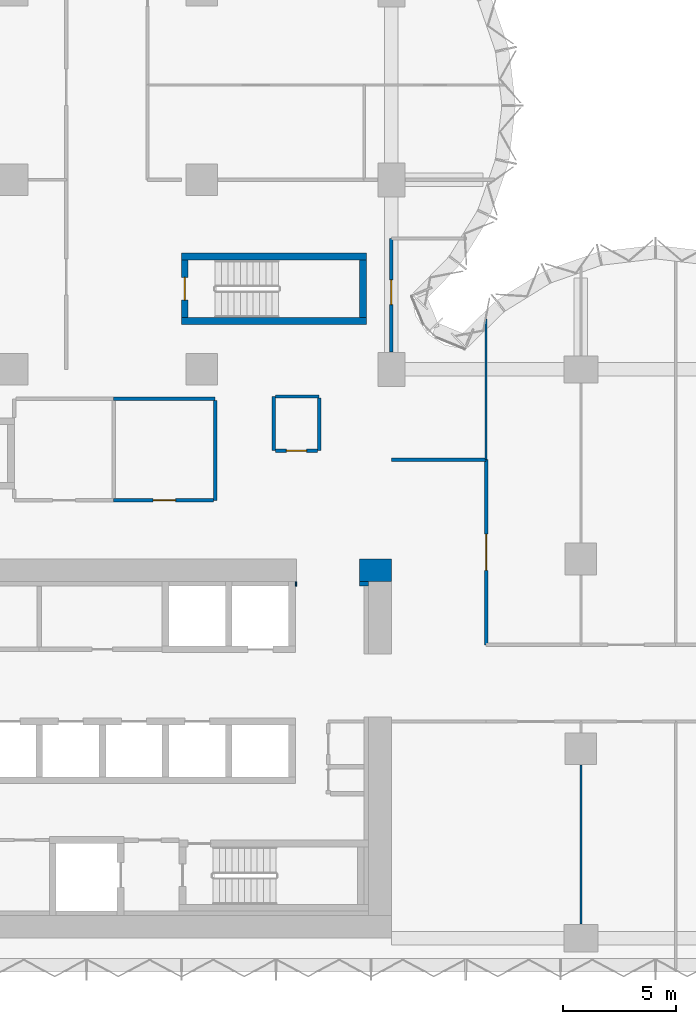
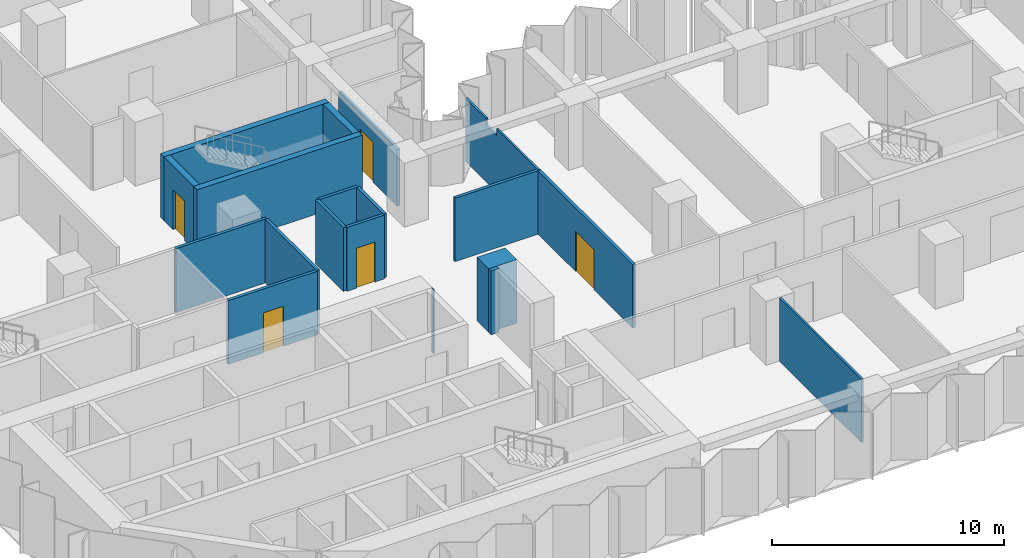
# One storey, part 9 of 15: 19 walls, 5 doors, 5 openings.
"""IFC4 building model written with IfcOpenShell, lengths in metres."""

from ifc_helpers import new_model, si_unit, direction, frame, frame_2d, origin, place, context, subcontext, project, spatial, polyline, rectangle, outline, extrude, material, layer, layer_set, type_object, element, fill, save


model = new_model("IFC4")

# Units and contexts
model_context = context("Model", 3, precision=1e-05, world=origin(), true_north=direction((0.0, 1.0)))
body_context = subcontext(model_context, "Body", "Model", "MODEL_VIEW")
ifc_project = project(units=[si_unit("LENGTHUNIT", "METRE"), si_unit("AREAUNIT", "SQUARE_METRE"), si_unit("VOLUMEUNIT", "CUBIC_METRE"), si_unit("PLANEANGLEUNIT", "RADIAN"), si_unit("MASSUNIT", "GRAM", prefix="KILO")], contexts=[model_context])

# Site, building, storey
site_placement = place(None, origin())
site = spatial("IfcSite", under=ifc_project, at=site_placement, CompositionType="ELEMENT")
building_placement = place(site_placement, origin())
building = spatial("IfcBuilding", under=site, at=building_placement, Name="Brevane Broadcast Tower", CompositionType="ELEMENT")
storey_placement = place(building_placement, frame((0.0, 0.0, 72.5)))
storey = spatial("IfcBuildingStorey", under=building, at=storey_placement, Name="L16", CompositionType="ELEMENT", Elevation=72.5)

# Walls
ifc_material_1 = material(Name="Concrete C32/40", Category="concrete")
ifc_layer_1 = layer(ifc_material_1, 0.199951171875)
ifc_layer_set_1 = layer_set([ifc_layer_1], Name="Core chase wall 200 mm")
wall_type_1 = type_object("IfcWallType", Name="Core chase wall 200 mm", PredefinedType="PARTITIONING", material=ifc_layer_set_1)
wall_1_placement = place(storey_placement, frame((23.800048828125, 15.699951171875, 0.0), z_axis=(0.0, 0.0, 1.0), x_axis=(1.0, 0.0, 0.0)))
element("IfcWall", 1, at=wall_1_placement, inside=storey, type_object=wall_type_1, Name="L16 chase wall LN2", PredefinedType="PARTITIONING", context=body_context, shape_type="SweptSolid", body=[
    extrude(rectangle(XDim=0.39990234375, YDim=0.199951171875, at=frame_2d((0.199951171875, 0.0))), origin(), (0.0, 0.0, 1.0), 3.35009765625),
])
wall_2_placement = place(storey_placement, frame((20.949951171875, 15.699951171875, 0.0), z_axis=(0.0, 0.0, 1.0), x_axis=(1.0, 0.0, 0.0)))
element("IfcWall", 2, at=wall_2_placement, inside=storey, type_object=wall_type_1, Name="L16 chase wall LN1-2-2-2-2", PredefinedType="PARTITIONING", context=body_context, shape_type="SweptSolid", body=[
    extrude(rectangle(XDim=0.050048828125, YDim=0.199951171875, at=frame_2d((0.02490234375, 0.0))), origin(), (0.0, 0.0, 1.0), 3.35009765625),
])
ifc_material_2 = material(Name="Gypsum board on steel studs", Category="steel")
ifc_layer_2 = layer(ifc_material_2, 0.14990234375)
ifc_layer_set_2 = layer_set([ifc_layer_2], Name="Core fire partition 150 mm")
wall_type_2 = type_object("IfcWallType", Name="Core fire partition 150 mm", PredefinedType="PARTITIONING", material=ifc_layer_set_2)
wall_3_placement = place(storey_placement, frame((12.89990234375, 23.89990234375, 0.0), z_axis=(0.0, 0.0, 1.0), x_axis=(1.0, 0.0, 0.0)))
element("IfcWall", 3, at=wall_3_placement, inside=storey, type_object=wall_type_2, Name="L16 partition wall P19", PredefinedType="PARTITIONING", context=body_context, shape_type="SweptSolid", body=[
    extrude(rectangle(XDim=4.5, YDim=0.14990234375, at=frame_2d((2.25, 0.0))), origin(), (0.0, 0.0, 1.0), 3.35009765625),
])
wall_4_placement = place(storey_placement, frame((17.39990234375, 23.824951171875, 0.0), z_axis=(0.0, 0.0, 1.0), x_axis=(0.0, -1.0, 0.0)))
element("IfcWall", 4, at=wall_4_placement, inside=storey, type_object=wall_type_2, Name="L16 partition wall P20", PredefinedType="PARTITIONING", context=body_context, shape_type="SweptSolid", body=[
    extrude(rectangle(XDim=4.425048828125, YDim=0.14990234375, at=frame_2d((2.21240234375, 0.0))), origin(), (0.0, 0.0, 1.0), 3.35009765625),
])

# Wall, opening, door
wall_5_placement = place(storey_placement, frame((17.324951171875, 19.39990234375, 0.0), z_axis=(0.0, 0.0, 1.0), x_axis=(-1.0, 0.0, 0.0)))
wall_5 = element("IfcWall", 5, at=wall_5_placement, inside=storey, type_object=wall_type_2, Name="L16 partition wall P21", PredefinedType="PARTITIONING", context=body_context, shape_type="SweptSolid", body=[
    extrude(rectangle(XDim=4.425048828125, YDim=0.14990234375, at=frame_2d((2.21240234375, 0.0))), origin(), (0.0, 0.0, 1.0), 3.35009765625),
])
opening_1_placement = place(wall_5_placement, frame((1.675048828125, 0.0, 0.0)))
opening_1 = element("IfcOpeningElement", 6, at=opening_1_placement, cuts=wall_5, Name="Opening L16-K26", PredefinedType="OPENING", context=body_context, shape_type="SweptSolid", body=[
    extrude(rectangle(XDim=1.0, YDim=2.10009765625, at=frame_2d((0.5, 1.050048828125))), frame((0.0, 0.0849609375, 0.0), z_axis=(0.0, -1.0, 0.0), x_axis=(1.0, 0.0, 0.0)), (0.0, 0.0, 1.0), 0.169921875),
])
ifc_material_3 = material(Name="Steel", Category="steel")
door_type_1 = type_object("IfcDoorType", Name="Service room door 1000 x 2100", OperationType="SINGLE_SWING_LEFT", PredefinedType="DOOR", material=ifc_material_3)
door_1_placement = place(opening_1_placement, origin())
door_1 = element("IfcDoor", 7, at=door_1_placement, inside=storey, type_object=door_type_1, Name="Door L16-K26", OperationType="SINGLE_SWING_LEFT", OverallHeight=2.10009765625, OverallWidth=1.0, PredefinedType="DOOR", context=body_context, shape_type="SweptSolid", body=[
    extrude(rectangle(XDim=1.0, YDim=2.10009765625, at=frame_2d((0.5, 1.050048828125))), frame((0.0, 0.02490234375, 0.0), z_axis=(0.0, -1.0, 0.0), x_axis=(1.0, 0.0, 0.0)), (0.0, 0.0, 1.0), 0.050048828125),
])
fill(opening_1, door_1)

# Walls
wall_6_placement = place(storey_placement, frame((20.0, 21.60009765625, 0.0), z_axis=(0.0, 0.0, 1.0), x_axis=(0.0, 1.0, 0.0)))
element("IfcWall", 8, at=wall_6_placement, inside=storey, type_object=wall_type_2, Name="L16 partition wall P25", PredefinedType="PARTITIONING", context=body_context, shape_type="SweptSolid", body=[
    extrude(rectangle(XDim=2.39990234375, YDim=0.14990234375, at=frame_2d((1.199951171875, 0.0))), origin(), (0.0, 0.0, 1.0), 3.35009765625),
])
wall_7_placement = place(storey_placement, frame((20.074951171875, 24.0, 0.0), z_axis=(0.0, 0.0, 1.0), x_axis=(1.0, 0.0, 0.0)))
element("IfcWall", 9, at=wall_7_placement, inside=storey, type_object=wall_type_2, Name="L16 partition wall P26", PredefinedType="PARTITIONING", context=body_context, shape_type="SweptSolid", body=[
    extrude(rectangle(XDim=1.925048828125, YDim=0.14990234375, at=frame_2d((0.96240234375, 0.0))), origin(), (0.0, 0.0, 1.0), 3.35009765625),
])
wall_8_placement = place(storey_placement, frame((22.0, 23.925048828125, 0.0), z_axis=(0.0, 0.0, 1.0), x_axis=(0.0, -1.0, 0.0)))
element("IfcWall", 10, at=wall_8_placement, inside=storey, type_object=wall_type_2, Name="L16 partition wall P27", PredefinedType="PARTITIONING", context=body_context, shape_type="SweptSolid", body=[
    extrude(rectangle(XDim=2.324951171875, YDim=0.14990234375, at=frame_2d((1.16259765625, 0.0))), origin(), (0.0, 0.0, 1.0), 3.35009765625),
])

# Wall, opening, door
wall_9_placement = place(storey_placement, frame((21.925048828125, 21.60009765625, 0.0), z_axis=(0.0, 0.0, 1.0), x_axis=(-1.0, 0.0, 0.0)))
wall_9 = element("IfcWall", 11, at=wall_9_placement, inside=storey, type_object=wall_type_2, Name="L16 partition wall P28", PredefinedType="PARTITIONING", context=body_context, shape_type="SweptSolid", body=[
    extrude(rectangle(XDim=1.85009765625, YDim=0.14990234375, at=frame_2d((0.925048828125, 0.0))), origin(), (0.0, 0.0, 1.0), 3.35009765625),
])
opening_2_placement = place(wall_9_placement, frame((0.47509765625, 0.0, 0.0)))
opening_2 = element("IfcOpeningElement", 12, at=opening_2_placement, cuts=wall_9, Name="Opening L16-K24", PredefinedType="OPENING", context=body_context, shape_type="SweptSolid", body=[
    extrude(rectangle(XDim=0.89990234375, YDim=2.10009765625, at=frame_2d((0.449951171875, 1.050048828125))), frame((0.0, 0.0849609375, 0.0), z_axis=(0.0, -1.0, 0.0), x_axis=(1.0, 0.0, 0.0)), (0.0, 0.0, 1.0), 0.169921875),
])
ifc_material_4 = material(Name="Timber", Category="wood")
door_type_2 = type_object("IfcDoorType", Name="Toilet door 900 x 2100", OperationType="SINGLE_SWING_LEFT", PredefinedType="DOOR", material=ifc_material_4)
door_2_placement = place(opening_2_placement, origin())
door_2 = element("IfcDoor", 13, at=door_2_placement, inside=storey, type_object=door_type_2, Name="Door L16-K24", OperationType="SINGLE_SWING_LEFT", OverallHeight=2.10009765625, OverallWidth=0.89990234375, PredefinedType="DOOR", context=body_context, shape_type="SweptSolid", body=[
    extrude(rectangle(XDim=0.89990234375, YDim=2.10009765625, at=frame_2d((0.449951171875, 1.050048828125))), frame((0.0, 0.02490234375, 0.0), z_axis=(0.0, -1.0, 0.0), x_axis=(1.0, 0.0, 0.0)), (0.0, 0.0, 1.0), 0.050048828125),
])
fill(opening_2, door_2)

# Walls
ifc_material_5 = material(Name="Concrete C80/95", Category="concrete")
ifc_layer_3 = layer(ifc_material_5, 1.0)
ifc_layer_set_3 = layer_set([ifc_layer_3], Name="Core wall 1000 mm C80/95")
wall_type_3 = type_object("IfcWallType", Name="Core wall 1000 mm C80/95", PredefinedType="SHEAR", material=ifc_layer_set_3)
wall_10_placement = place(storey_placement, frame((23.800048828125, 16.300048828125, 0.0), z_axis=(0.0, 0.0, 1.0), x_axis=(1.0, 0.0, 0.0)))
element("IfcWall", 14, at=wall_10_placement, inside=storey, type_object=wall_type_3, Name="L16 outer wall WN2", PredefinedType="SHEAR", context=body_context, shape_type="SweptSolid", body=[
    extrude(rectangle(XDim=1.39990234375, YDim=1.0, at=frame_2d((0.699951171875, 0.0))), origin(), (0.0, 0.0, 1.0), 3.35009765625),
])
ifc_layer_4 = layer(ifc_material_5, 0.300048828125)
ifc_layer_set_4 = layer_set([ifc_layer_4], Name="Core wall 300 mm C80/95")
wall_type_4 = type_object("IfcWallType", Name="Core wall 300 mm C80/95", PredefinedType="SHEAR", material=ifc_layer_set_4)
for number, where, z_axis, x_axis, name in (
    (15, (15.89990234375, 27.35009765625, 0.0), (0.0, 0.0, 1.0), (1.0, 0.0, 0.0), "L16 stair wall ST-3-S"),
    (16, (15.89990234375, 30.199951171875, 0.0), (0.0, 0.0, 1.0), (1.0, 0.0, 0.0), "L16 stair wall ST-3-N"),
):
    element("IfcWall", number, at=place(storey_placement, frame(where, z_axis=z_axis, x_axis=x_axis)), inside=storey, type_object=wall_type_4, Name=name, PredefinedType="SHEAR", context=body_context, shape_type="SweptSolid", body=[
        extrude(rectangle(XDim=8.2001953125, YDim=0.300048828125, at=frame_2d((4.10009765625, 0.0))), origin(), (0.0, 0.0, 1.0), 3.35009765625),
    ])

# Wall, opening, door
wall_11_placement = place(storey_placement, frame((16.050048828125, 27.5, 0.0), z_axis=(0.0, 0.0, 1.0), x_axis=(0.0, 1.0, 0.0)))
wall_11 = element("IfcWall", 17, at=wall_11_placement, inside=storey, type_object=wall_type_4, Name="L16 stair wall ST-3-W", PredefinedType="SHEAR", context=body_context, shape_type="SweptSolid", body=[
    extrude(rectangle(XDim=2.550048828125, YDim=0.300048828125, at=frame_2d((1.27490234375, 0.0))), origin(), (0.0, 0.0, 1.0), 3.35009765625),
])
opening_3_placement = place(wall_11_placement, frame((0.77490234375, 0.0, 0.0)))
opening_3 = element("IfcOpeningElement", 18, at=opening_3_placement, cuts=wall_11, Name="Opening L16-K14", PredefinedType="OPENING", context=body_context, shape_type="SweptSolid", body=[
    extrude(rectangle(XDim=1.0, YDim=2.10009765625, at=frame_2d((0.5, 1.050048828125))), frame((0.0, 0.159912109375, 0.0), z_axis=(0.0, -1.0, 0.0), x_axis=(1.0, 0.0, 0.0)), (0.0, 0.0, 1.0), 0.320068359375),
])
door_type_3 = type_object("IfcDoorType", Name="Stair door 1000 x 2100", OperationType="SINGLE_SWING_LEFT", PredefinedType="DOOR", material=ifc_material_3)
door_3_placement = place(opening_3_placement, origin())
door_3 = element("IfcDoor", 19, at=door_3_placement, inside=storey, type_object=door_type_3, Name="Door L16-K14", OperationType="SINGLE_SWING_LEFT", OverallHeight=2.10009765625, OverallWidth=1.0, PredefinedType="DOOR", context=body_context, shape_type="SweptSolid", body=[
    extrude(rectangle(XDim=1.0, YDim=2.10009765625, at=frame_2d((0.5, 1.050048828125))), frame((0.0, 0.02490234375, 0.0), z_axis=(0.0, -1.0, 0.0), x_axis=(1.0, 0.0, 0.0)), (0.0, 0.0, 1.0), 0.050048828125),
])
fill(opening_3, door_3)

# Walls
wall_12_placement = place(storey_placement, frame((23.949951171875, 27.5, 0.0), z_axis=(0.0, 0.0, 1.0), x_axis=(0.0, 1.0, 0.0)))
element("IfcWall", 20, at=wall_12_placement, inside=storey, type_object=wall_type_4, Name="L16 stair wall ST-3-E", PredefinedType="SHEAR", context=body_context, shape_type="SweptSolid", body=[
    extrude(rectangle(XDim=2.550048828125, YDim=0.300048828125, at=frame_2d((1.27490234375, 0.0))), origin(), (0.0, 0.0, 1.0), 3.35009765625),
])
ifc_material_6 = material(Name="Gypsum board partition")
ifc_layer_5 = layer(ifc_material_6, 0.10009765625)
ifc_layer_set_5 = layer_set([ifc_layer_5], Name="PARTITION 100 STUD")
wall_type_5 = type_object("IfcWallType", Name="PARTITION 100 STUD", PredefinedType="PARTITIONING", material=ifc_layer_set_5)
wall_13_placement = place(storey_placement, frame((29.39990234375, 27.428955078125, 0.0), z_axis=(0.0, 0.0, 1.0), x_axis=(0.0, -1.0, 0.0)))
element("IfcWall", 21, at=wall_13_placement, inside=storey, type_object=wall_type_5, Name="Partition G04-004", PredefinedType="PARTITIONING", context=body_context, shape_type="SweptSolid", body=[
    extrude(outline(polyline([(0.0, 0.0), (6.22900390625, 0.0), (6.22900390625, 3.330078125), (2.678955078125, 3.330078125), (2.677001953125, 2.97998046875), (1.781005859375, 2.97998046875), (1.779052734375, 3.330078125), (0.154052734375, 3.330078125), (0.0, 3.330078125), (0.0, 0.0)])), frame((0.0, 0.050048828125, 0.0), z_axis=(0.0, -1.0, 0.0), x_axis=(1.0, 0.0, 0.0)), (0.0, 0.0, 1.0), 0.10009765625),
])
wall_14_placement = place(storey_placement, frame((33.60009765625, 7.679931640625, 0.0), z_axis=(0.0, 0.0, 1.0), x_axis=(0.0, -1.0, 0.0)))
element("IfcWall", 22, at=wall_14_placement, inside=storey, type_object=wall_type_5, Name="Partition G04-023", PredefinedType="PARTITIONING", context=body_context, shape_type="SweptSolid", body=[
    extrude(rectangle(XDim=7.059814453125, YDim=0.10009765625, at=frame_2d((3.52978515625, 0.0))), origin(), (0.0, 0.0, 1.0), 3.330078125),
])
ifc_layer_6 = layer(ifc_material_6, 0.14990234375)
ifc_layer_set_6 = layer_set([ifc_layer_6], Name="PARTITION 150 EI 60")
wall_type_6 = type_object("IfcWallType", Name="PARTITION 150 EI 60", PredefinedType="PARTITIONING", material=ifc_layer_set_6)
wall_15_placement = place(storey_placement, frame((25.199951171875, 21.199951171875, 0.0), z_axis=(0.0, 0.0, 1.0), x_axis=(1.0, 0.0, 0.0)))
element("IfcWall", 23, at=wall_15_placement, inside=storey, type_object=wall_type_6, Name="Partition G04-001", PredefinedType="PARTITIONING", context=body_context, shape_type="SweptSolid", body=[
    extrude(rectangle(XDim=4.199951171875, YDim=0.14990234375, at=frame_2d((2.10009765625, 0.0))), origin(), (0.0, 0.0, 1.0), 3.330078125),
])

# Wall, opening, door
wall_16_placement = place(storey_placement, frame((29.39990234375, 21.199951171875, 0.0), z_axis=(0.0, 0.0, 1.0), x_axis=(0.0, -1.0, 0.0)))
wall_16 = element("IfcWall", 24, at=wall_16_placement, inside=storey, type_object=wall_type_6, Name="Partition G04-003", PredefinedType="PARTITIONING", context=body_context, shape_type="SweptSolid", body=[
    extrude(rectangle(XDim=8.199951171875, YDim=0.14990234375, at=frame_2d((4.10009765625, 0.0))), origin(), (0.0, 0.0, 1.0), 3.330078125),
])
opening_4_placement = place(wall_16_placement, frame((3.300048828125, 0.0, 0.0)))
opening_4 = element("IfcOpeningElement", 25, at=opening_4_placement, cuts=wall_16, Name="Opening D10-007", PredefinedType="OPENING", context=body_context, shape_type="SweptSolid", body=[
    extrude(rectangle(XDim=1.60009765625, YDim=2.10009765625, at=frame_2d((0.800048828125, 1.050048828125))), frame((0.0, 0.0849609375, 0.0), z_axis=(0.0, -1.0, 0.0), x_axis=(1.0, 0.0, 0.0)), (0.0, 0.0, 1.0), 0.169921875),
])
ifc_material_7 = material(Name="Fire-rated timber door leaf", Category="wood")
door_type_4 = type_object("IfcDoorType", Name="DOOR DOUBLE 1600 FD30S", OperationType="DOUBLE_DOOR_SINGLE_SWING", PredefinedType="DOOR", material=ifc_material_7)
door_4_placement = place(opening_4_placement, origin())
door_4 = element("IfcDoor", 26, at=door_4_placement, inside=storey, type_object=door_type_4, Name="Door D10-007", OperationType="DOUBLE_DOOR_SINGLE_SWING", OverallHeight=2.10009765625, OverallWidth=1.60009765625, PredefinedType="DOOR", context=body_context, shape_type="SweptSolid", body=[
    extrude(rectangle(XDim=1.60009765625, YDim=2.10009765625, at=frame_2d((0.800048828125, 1.050048828125))), frame((0.0, 0.02490234375, 0.0), z_axis=(0.0, -1.0, 0.0), x_axis=(1.0, 0.0, 0.0)), (0.0, 0.0, 1.0), 0.050048828125),
])
fill(opening_4, door_4)

wall_17_placement = place(storey_placement, frame((25.199951171875, 31.0, 0.0), z_axis=(0.0, 0.0, 1.0), x_axis=(0.0, -1.0, 0.0)))
wall_17 = element("IfcWall", 27, at=wall_17_placement, inside=storey, type_object=wall_type_6, Name="Partition G04-005", PredefinedType="PARTITIONING", context=body_context, shape_type="SweptSolid", body=[
    extrude(outline(polyline([(0.0, 0.0), (5.030029296875, 0.0), (5.030029296875, 2.97998046875), (0.0, 2.97998046875), (0.0, 0.0)])), frame((0.0, 0.074951171875, 0.0), z_axis=(0.0, -1.0, 0.0), x_axis=(1.0, 0.0, 0.0)), (0.0, 0.0, 1.0), 0.14990234375),
])
opening_5_placement = place(wall_17_placement, frame((1.830078125, 0.0, 0.0)))
opening_5 = element("IfcOpeningElement", 28, at=opening_5_placement, cuts=wall_17, Name="Opening D10-001", PredefinedType="OPENING", context=body_context, shape_type="SweptSolid", body=[
    extrude(rectangle(XDim=1.10009765625, YDim=2.10009765625, at=frame_2d((0.550048828125, 1.050048828125))), frame((0.0, 0.0849609375, 0.0), z_axis=(0.0, -1.0, 0.0), x_axis=(1.0, 0.0, 0.0)), (0.0, 0.0, 1.0), 0.169921875),
])
door_type_5 = type_object("IfcDoorType", Name="DOOR SINGLE 1100 FD30S", OperationType="SINGLE_SWING_LEFT", PredefinedType="DOOR", material=ifc_material_7)
door_5_placement = place(opening_5_placement, origin())
door_5 = element("IfcDoor", 29, at=door_5_placement, inside=storey, type_object=door_type_5, Name="Door D10-001", OperationType="SINGLE_SWING_RIGHT", OverallHeight=2.10009765625, OverallWidth=1.10009765625, PredefinedType="DOOR", context=body_context, shape_type="SweptSolid", body=[
    extrude(rectangle(XDim=1.10009765625, YDim=2.10009765625, at=frame_2d((0.550048828125, 1.050048828125))), frame((0.0, 0.02490234375, 0.0), z_axis=(0.0, -1.0, 0.0), x_axis=(1.0, 0.0, 0.0)), (0.0, 0.0, 1.0), 0.050048828125),
])
fill(opening_5, door_5)

save(model, "model.ifc")
